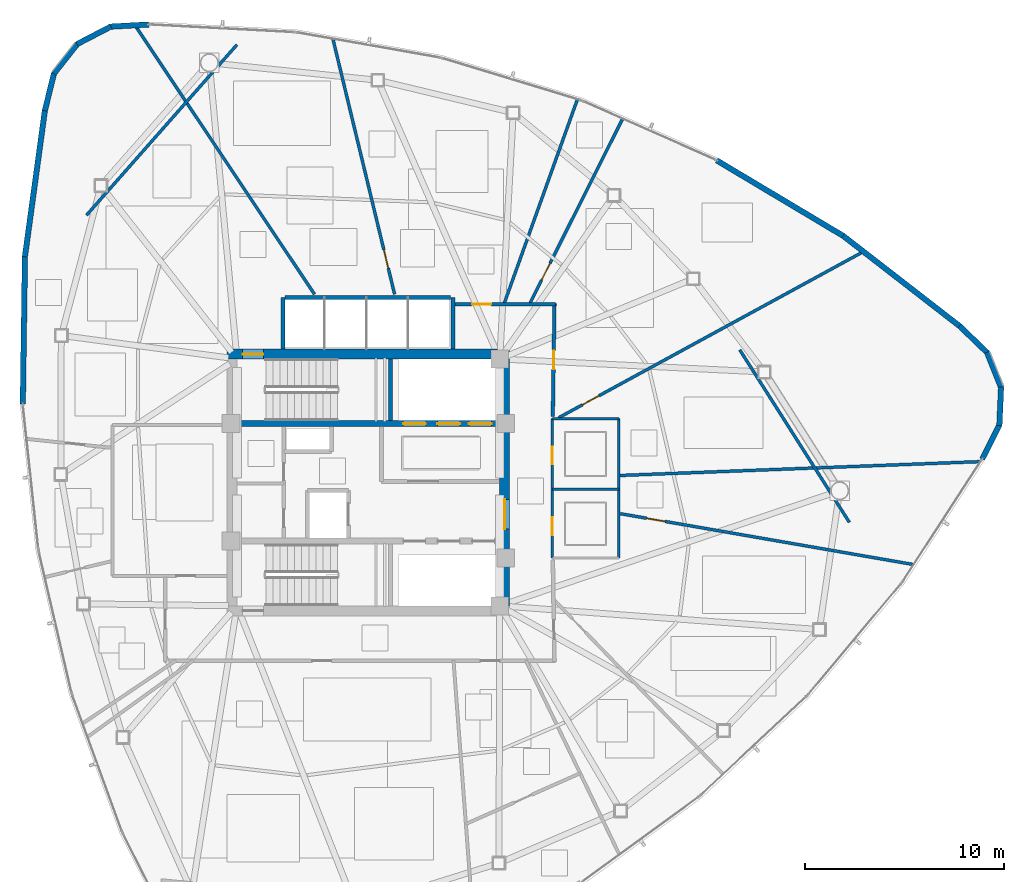
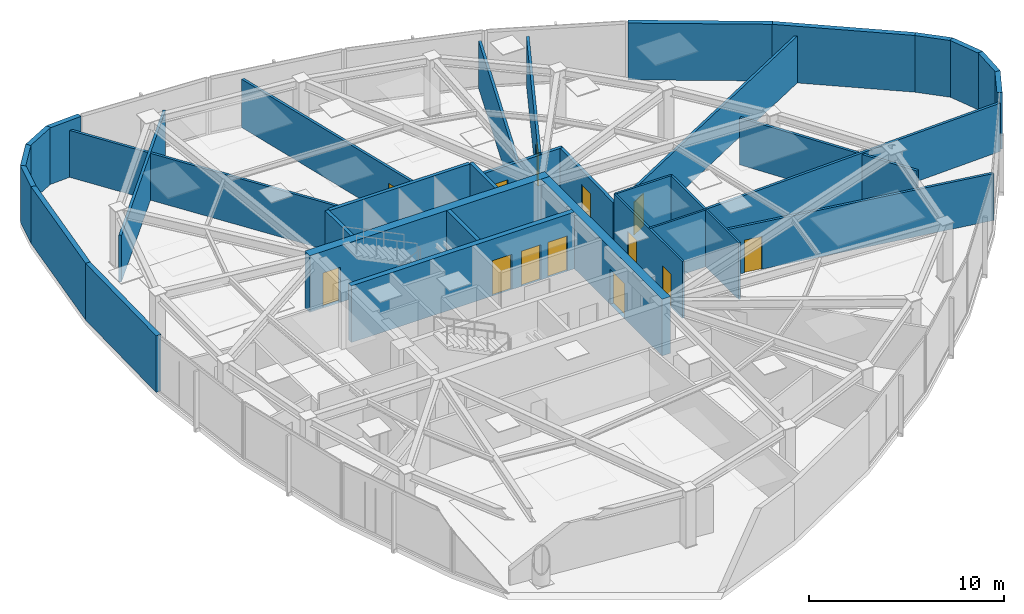
# One storey, part 12 of 17: 34 walls, 13 doors, 13 openings.
"""IFC4 building model written with IfcOpenShell, lengths in metres."""

from ifc_helpers import new_model, si_unit, direction, frame, frame_2d, origin, place, context, subcontext, project, spatial, rectangle, extrude, material, layer, layer_set, type_object, element, fill, save


model = new_model("IFC4")

# Units and contexts
model_context = context("Model", 3, precision=1e-05, world=origin(), true_north=direction((0.0, 1.0)))
body_context = subcontext(model_context, "Body", "Model", "MODEL_VIEW")
ifc_project = project(units=[si_unit("LENGTHUNIT", "METRE"), si_unit("AREAUNIT", "SQUARE_METRE"), si_unit("VOLUMEUNIT", "CUBIC_METRE"), si_unit("PLANEANGLEUNIT", "RADIAN"), si_unit("MASSUNIT", "GRAM", prefix="KILO")], contexts=[model_context])

# Site, building, storey
site_placement = place(None, origin())
site = spatial("IfcSite", under=ifc_project, at=site_placement, CompositionType="ELEMENT")
building_placement = place(site_placement, origin())
building = spatial("IfcBuilding", under=site, at=building_placement, Name="Tavelor Broadcast Tower", CompositionType="ELEMENT")
storey_placement = place(building_placement, frame((0.0, 0.0, 200.300048828125)))
storey = spatial("IfcBuildingStorey", under=building, at=storey_placement, Name="L48", CompositionType="ELEMENT", Elevation=200.300048828125)

# Wall, opening, door
ifc_material_1 = material(Name="Concrete C50/60", Category="concrete")
ifc_layer_1 = layer(ifc_material_1, 0.5)
ifc_layer_set_1 = layer_set([ifc_layer_1], Name="Concrete C50/60")
wall_type_1 = type_object("IfcWallType", Name="Core Shear Wall 500 mm", PredefinedType="SHEAR", material=ifc_layer_set_1)
wall_1_placement = place(storey_placement, frame((42.89990234375, 51.449951171875, 0.0), z_axis=(0.0, 0.0, 1.0), x_axis=(1.0, 0.0, 0.0)))
wall_1 = element("IfcWall", 1, at=wall_1_placement, inside=storey, type_object=wall_type_1, Name="L48 Central Core Shear Wall N", PredefinedType="SHEAR", context=body_context, shape_type="SweptSolid", body=[
    extrude(rectangle(XDim=14.2001953125, YDim=0.5, at=frame_2d((7.10009765625, 0.0))), origin(), (0.0, 0.0, 1.0), 3.550048828125),
])
opening_1_placement = place(wall_1_placement, frame((0.780029296875, 0.0, 0.0)))
opening_1 = element("IfcOpeningElement", 2, at=opening_1_placement, cuts=wall_1, Name="Opening DR11", PredefinedType="OPENING", context=body_context, shape_type="SweptSolid", body=[
    extrude(rectangle(XDim=1.050048828125, YDim=2.199951171875, at=frame_2d((0.52490234375, 1.10009765625))), frame((0.0, 0.260009765625, 0.0), z_axis=(0.0, -1.0, 0.0), x_axis=(1.0, 0.0, 0.0)), (0.0, 0.0, 1.0), 0.52001953125),
])
ifc_material_2 = material(Name="Steel S355", Category="steel")
door_type_1 = type_object("IfcDoorType", Name="Stair Core Fire Escape Door 1050x2200", OperationType="NOTDEFINED", PredefinedType="DOOR", material=ifc_material_2)
door_1_placement = place(opening_1_placement, origin())
door_1 = element("IfcDoor", 3, at=door_1_placement, inside=storey, type_object=door_type_1, Name="L48 Stair ST1 Protected Exit Door", OperationType="SINGLE_SWING_LEFT", OverallHeight=2.199951171875, OverallWidth=1.050048828125, PredefinedType="DOOR", context=body_context, shape_type="SweptSolid", body=[
    extrude(rectangle(XDim=1.050048828125, YDim=2.199951171875, at=frame_2d((0.52490234375, 1.10009765625))), frame((0.0, 0.02490234375, 0.0), z_axis=(0.0, -1.0, 0.0), x_axis=(1.0, 0.0, 0.0)), (0.0, 0.0, 1.0), 0.050048828125),
])
fill(opening_1, door_1)

wall_2_placement = place(storey_placement, frame((56.85009765625, 38.800048828125, 0.0), z_axis=(0.0, 0.0, 1.0), x_axis=(0.0, 1.0, 0.0)))
wall_2 = element("IfcWall", 4, at=wall_2_placement, inside=storey, type_object=wall_type_1, Name="L48 Central Core Shear Wall E", PredefinedType="SHEAR", context=body_context, shape_type="SweptSolid", body=[
    extrude(rectangle(XDim=12.39990234375, YDim=0.5, at=frame_2d((6.199951171875, 0.0))), origin(), (0.0, 0.0, 1.0), 3.550048828125),
])
opening_2_placement = place(wall_2_placement, frame((3.85009765625, 0.0, 0.0)))
opening_2 = element("IfcOpeningElement", 5, at=opening_2_placement, cuts=wall_2, Name="Opening DR14", PredefinedType="OPENING", context=body_context, shape_type="SweptSolid", body=[
    extrude(rectangle(XDim=1.5, YDim=2.199951171875, at=frame_2d((0.75, 1.10009765625))), frame((0.0, 0.260009765625, 0.0), z_axis=(0.0, -1.0, 0.0), x_axis=(1.0, 0.0, 0.0)), (0.0, 0.0, 1.0), 0.52001953125),
])
door_type_2 = type_object("IfcDoorType", Name="Firefighting Lobby Double Fire Door 1500x2200", OperationType="NOTDEFINED", PredefinedType="DOOR", material=ifc_material_2)
door_2_placement = place(opening_2_placement, origin())
door_2 = element("IfcDoor", 6, at=door_2_placement, inside=storey, type_object=door_type_2, Name="L48 Central Core Lobby Fire Door", OperationType="SINGLE_SWING_LEFT", OverallHeight=2.199951171875, OverallWidth=1.5, PredefinedType="DOOR", context=body_context, shape_type="SweptSolid", body=[
    extrude(rectangle(XDim=1.5, YDim=2.199951171875, at=frame_2d((0.75, 1.10009765625))), frame((0.0, 0.02490234375, 0.0), z_axis=(0.0, -1.0, 0.0), x_axis=(1.0, 0.0, 0.0)), (0.0, 0.0, 1.0), 0.050048828125),
])
fill(opening_2, door_2)

# Wall, openings, doors
ifc_layer_2 = layer(ifc_material_1, 0.300048828125)
ifc_layer_set_2 = layer_set([ifc_layer_2], Name="Concrete C50/60")
wall_type_2 = type_object("IfcWallType", Name="Core Spine Shear Wall 300 mm C50", PredefinedType="SHEAR", material=ifc_layer_set_2)
wall_3_placement = place(storey_placement, frame((43.39990234375, 47.949951171875, 0.0), z_axis=(0.0, 0.0, 1.0), x_axis=(1.0, 0.0, 0.0)))
wall_3 = element("IfcWall", 7, at=wall_3_placement, inside=storey, type_object=wall_type_2, Name="L48 Central Core Shear Wall SP1", PredefinedType="SHEAR", context=body_context, shape_type="SweptSolid", body=[
    extrude(rectangle(XDim=13.2001953125, YDim=0.300048828125, at=frame_2d((6.60009765625, 0.0))), origin(), (0.0, 0.0, 1.0), 3.550048828125),
])
opening_3_placement = place(wall_3_placement, frame((8.344970703125, 0.0, 0.0)))
opening_3 = element("IfcOpeningElement", 8, at=opening_3_placement, cuts=wall_3, Name="Opening LD02", PredefinedType="OPENING", context=body_context, shape_type="SweptSolid", body=[
    extrude(rectangle(XDim=1.14990234375, YDim=2.199951171875, at=frame_2d((0.574951171875, 1.10009765625))), frame((0.0, 0.16015625, 0.0), z_axis=(0.0, -1.0, 0.0), x_axis=(1.0, 0.0, 0.0)), (0.0, 0.0, 1.0), 0.320068359375),
])
opening_4_placement = place(wall_3_placement, frame((10.06494140625, 0.0, 0.0)))
opening_4 = element("IfcOpeningElement", 9, at=opening_4_placement, cuts=wall_3, Name="Opening LD02", PredefinedType="OPENING", context=body_context, shape_type="SweptSolid", body=[
    extrude(rectangle(XDim=1.14990234375, YDim=2.199951171875, at=frame_2d((0.574951171875, 1.10009765625))), frame((0.0, 0.16015625, 0.0), z_axis=(0.0, -1.0, 0.0), x_axis=(1.0, 0.0, 0.0)), (0.0, 0.0, 1.0), 0.320068359375),
])
opening_5_placement = place(wall_3_placement, frame((11.64501953125, 0.0, 0.0)))
opening_5 = element("IfcOpeningElement", 10, at=opening_5_placement, cuts=wall_3, Name="Opening LD03", PredefinedType="OPENING", context=body_context, shape_type="SweptSolid", body=[
    extrude(rectangle(XDim=1.14990234375, YDim=2.199951171875, at=frame_2d((0.574951171875, 1.10009765625))), frame((0.0, 0.16015625, 0.0), z_axis=(0.0, -1.0, 0.0), x_axis=(1.0, 0.0, 0.0)), (0.0, 0.0, 1.0), 0.320068359375),
])
ifc_material_3 = material(Name="Reinforced Brushed Stainless Steel", Category="concrete")
door_type_3 = type_object("IfcDoorType", Name="Broadcast Goods Lift Sliding Landing Door 1250x2200", OperationType="NOTDEFINED", PredefinedType="DOOR", material=ifc_material_3)
door_3_placement = place(opening_5_placement, origin())
door_3 = element("IfcDoor", 11, at=door_3_placement, inside=storey, type_object=door_type_3, Name="L48 Lift SVL1 Sliding Landing Door", OperationType="SLIDING_TO_LEFT", OverallHeight=2.199951171875, OverallWidth=1.14990234375, PredefinedType="DOOR", context=body_context, shape_type="SweptSolid", body=[
    extrude(rectangle(XDim=1.14990234375, YDim=2.199951171875, at=frame_2d((0.574951171875, 1.10009765625))), frame((0.0, 0.02490234375, 0.0), z_axis=(0.0, -1.0, 0.0), x_axis=(1.0, 0.0, 0.0)), (0.0, 0.0, 1.0), 0.050048828125),
])
fill(opening_5, door_3)
ifc_material_4 = material(Name="Fire-Rated Stainless Steel", Category="steel")
door_type_4 = type_object("IfcDoorType", Name="Firefighting Lift Sliding Landing Door 1200x2200", OperationType="NOTDEFINED", PredefinedType="DOOR", material=ifc_material_4)
door_4_placement = place(opening_3_placement, origin())
door_4 = element("IfcDoor", 12, at=door_4_placement, inside=storey, type_object=door_type_4, Name="L48 Lift FFL1 Sliding Landing Door", OperationType="SLIDING_TO_LEFT", OverallHeight=2.199951171875, OverallWidth=1.14990234375, PredefinedType="DOOR", context=body_context, shape_type="SweptSolid", body=[
    extrude(rectangle(XDim=1.14990234375, YDim=2.199951171875, at=frame_2d((0.574951171875, 1.10009765625))), frame((0.0, 0.02490234375, 0.0), z_axis=(0.0, -1.0, 0.0), x_axis=(1.0, 0.0, 0.0)), (0.0, 0.0, 1.0), 0.050048828125),
])
fill(opening_3, door_4)
door_5_placement = place(opening_4_placement, origin())
door_5 = element("IfcDoor", 13, at=door_5_placement, inside=storey, type_object=door_type_4, Name="L48 Lift FFL2 Sliding Landing Door", OperationType="SLIDING_TO_LEFT", OverallHeight=2.199951171875, OverallWidth=1.14990234375, PredefinedType="DOOR", context=body_context, shape_type="SweptSolid", body=[
    extrude(rectangle(XDim=1.14990234375, YDim=2.199951171875, at=frame_2d((0.574951171875, 1.10009765625))), frame((0.0, 0.02490234375, 0.0), z_axis=(0.0, -1.0, 0.0), x_axis=(1.0, 0.0, 0.0)), (0.0, 0.0, 1.0), 0.050048828125),
])
fill(opening_4, door_5)

# Wall, opening, door
ifc_material_5 = material(Name="Calcium Silicate Fire Board 180 mm", Category="gypsum")
ifc_layer_3 = layer(ifc_material_5, 0.179931640625)
ifc_layer_set_3 = layer_set([ifc_layer_3], Name="Calcium Silicate Fire Board 180 mm")
wall_type_3 = type_object("IfcWallType", Name="Fire-Rated Corridor Partition Wall 180 mm", PredefinedType="PARTITIONING", material=ifc_layer_set_3)
wall_4_placement = place(storey_placement, frame((54.300048828125, 53.949951171875, 0.0), z_axis=(0.0, 0.0, 1.0), x_axis=(1.0, 0.0, 0.0)))
wall_4 = element("IfcWall", 14, at=wall_4_placement, inside=storey, type_object=wall_type_3, Name="L48 Corridor Compartment Wall 01", PredefinedType="PARTITIONING", context=body_context, shape_type="SweptSolid", body=[
    extrude(rectangle(XDim=5.099853515625, YDim=0.179931640625, at=frame_2d((2.5498046875, 0.0))), origin(), (0.0, 0.0, 1.0), 2.93505859375),
])
opening_6_placement = place(wall_4_placement, frame((0.913818359375, 0.0, 0.0)))
opening_6 = element("IfcOpeningElement", 15, at=opening_6_placement, cuts=wall_4, Name="Opening DR18", PredefinedType="OPENING", context=body_context, shape_type="SweptSolid", body=[
    extrude(rectangle(XDim=0.949951171875, YDim=2.050048828125, at=frame_2d((0.47509765625, 1.02490234375))), frame((0.0, 0.10009765625, 0.0), z_axis=(0.0, -1.0, 0.0), x_axis=(1.0, 0.0, 0.0)), (0.0, 0.0, 1.0), 0.199951171875),
])
ifc_material_6 = material(Name="Timber Solid Core Hardwood", Category="wood")
door_type_5 = type_object("IfcDoorType", Name="Corridor Rated Compartment Door 950x2050", OperationType="NOTDEFINED", PredefinedType="DOOR", material=ifc_material_6)
door_6_placement = place(opening_6_placement, origin())
door_6 = element("IfcDoor", 16, at=door_6_placement, inside=storey, type_object=door_type_5, Name="L48 Broadcast Script Study Door R9", OperationType="SINGLE_SWING_RIGHT", OverallHeight=2.050048828125, OverallWidth=0.949951171875, PredefinedType="DOOR", context=body_context, shape_type="SweptSolid", body=[
    extrude(rectangle(XDim=0.949951171875, YDim=2.050048828125, at=frame_2d((0.47509765625, 1.02490234375))), frame((0.0, 0.02490234375, 0.0), z_axis=(0.0, -1.0, 0.0), x_axis=(1.0, 0.0, 0.0)), (0.0, 0.0, 1.0), 0.050048828125),
])
fill(opening_6, door_6)

wall_5_placement = place(storey_placement, frame((59.3505859375, 54.0, 0.0), z_axis=(0.0, 0.0, 1.0), x_axis=(-0.014903899768, -0.999888930718, 0.0)))
wall_5 = element("IfcWall", 17, at=wall_5_placement, inside=storey, type_object=wall_type_3, Name="L48 Corridor Compartment Wall 02", PredefinedType="PARTITIONING", context=body_context, shape_type="SweptSolid", body=[
    extrude(rectangle(XDim=5.70068359375, YDim=0.179931640625, at=frame_2d((2.850341796875, 0.0))), origin(), (0.0, 0.0, 1.0), 2.93505859375),
])
opening_7_placement = place(wall_5_placement, frame((2.375244140625, 0.0, 0.0)))
opening_7 = element("IfcOpeningElement", 18, at=opening_7_placement, cuts=wall_5, Name="Opening DR18", PredefinedType="OPENING", context=body_context, shape_type="SweptSolid", body=[
    extrude(rectangle(XDim=0.949951171875, YDim=2.050048828125, at=frame_2d((0.47509765625, 1.02490234375))), frame((0.0, 0.10009765625, 0.0), z_axis=(0.0, -1.0, 0.0), x_axis=(1.0, 0.0, 0.0)), (0.0, 0.0, 1.0), 0.199951171875),
])
door_7_placement = place(opening_7_placement, origin())
door_7 = element("IfcDoor", 19, at=door_7_placement, inside=storey, type_object=door_type_5, Name="L48 Colour Grading Studio Door R11", OperationType="SINGLE_SWING_LEFT", OverallHeight=2.050048828125, OverallWidth=0.949951171875, PredefinedType="DOOR", context=body_context, shape_type="SweptSolid", body=[
    extrude(rectangle(XDim=0.949951171875, YDim=2.050048828125, at=frame_2d((0.47509765625, 1.02490234375))), frame((0.0, 0.02490234375, 0.0), z_axis=(0.0, -1.0, 0.0), x_axis=(1.0, 0.0, 0.0)), (0.0, 0.0, 1.0), 0.050048828125),
])
fill(opening_7, door_7)

# Walls
ifc_material_7 = material(Name="Precast Concrete C40/50", Category="concrete")
ifc_layer_4 = layer(ifc_material_7, 0.280029296875)
ifc_layer_set_4 = layer_set([ifc_layer_4], Name="Precast Concrete C40/50")
wall_type_4 = type_object("IfcWallType", Name="Insulated Precast Terracotta Facade Wall 280 mm", PredefinedType="STANDARD", material=ifc_layer_set_4)
wall_6_placement = place(storey_placement, frame((38.96826171875, 68.001220703125, 0.0), z_axis=(0.0, 0.0, 1.0), x_axis=(-0.998492863775, -0.054881699959, 0.0)))
element("IfcWall", 20, at=wall_6_placement, inside=storey, type_object=wall_type_4, Name="L48 Rounded Corner Structural Cladding Pier 01", PredefinedType="STANDARD", context=body_context, shape_type="SweptSolid", body=[
    extrude(rectangle(XDim=1.9306640625, YDim=0.280029296875, at=frame_2d((0.96533203125, 0.0))), origin(), (0.0, 0.0, 1.0), 3.550048828125),
])
for number, where, z_axis, x_axis, name in (
    (21, (37.06884765625, 67.903076171875, 0.0), (0.0, 0.0, 1.0), (-0.88740001266, -0.461000235934, 0.0), "L48 Rounded Corner Structural Cladding Pier 02"),
    (22, (35.388427734375, 67.037109375, 0.0), (0.0, 0.0, 1.0), (-0.619140957325, -0.785279870468, 0.0), "L48 Rounded Corner Structural Cladding Pier 03"),
):
    element("IfcWall", number, at=place(storey_placement, frame(where, z_axis=z_axis, x_axis=x_axis)), inside=storey, type_object=wall_type_4, Name=name, PredefinedType="STANDARD", context=body_context, shape_type="SweptSolid", body=[
        extrude(rectangle(XDim=1.919189453125, YDim=0.280029296875, at=frame_2d((0.95947265625, 0.0))), origin(), (0.0, 0.0, 1.0), 3.550048828125),
    ])
wall_7_placement = place(storey_placement, frame((34.213134765625, 65.556396484375, 0.0), z_axis=(0.0, 0.0, 1.0), x_axis=(-0.241026558281, -0.970518520278, 0.0)))
element("IfcWall", 23, at=wall_7_placement, inside=storey, type_object=wall_type_4, Name="L48 Rounded Corner Structural Cladding Pier 04", PredefinedType="STANDARD", context=body_context, shape_type="SweptSolid", body=[
    extrude(rectangle(XDim=1.941650390625, YDim=0.280029296875, at=frame_2d((0.970703125, 0.0))), origin(), (0.0, 0.0, 1.0), 3.550048828125),
])
wall_8_placement = place(storey_placement, frame((33.750732421875, 63.701416015625, 0.0), z_axis=(0.0, 0.0, 1.0), x_axis=(-0.135308121063, -0.990803569016, 0.0)))
element("IfcWall", 24, at=wall_8_placement, inside=storey, type_object=wall_type_4, Name="L48 Rounded Corner Structural Cladding Pier 05", PredefinedType="STANDARD", context=body_context, shape_type="SweptSolid", body=[
    extrude(rectangle(XDim=7.433837890625, YDim=0.280029296875, at=frame_2d((3.716796875, 0.0))), origin(), (0.0, 0.0, 1.0), 3.550048828125),
])
wall_9_placement = place(storey_placement, frame((32.747314453125, 56.365966796875, 0.0), z_axis=(0.0, 0.0, 1.0), x_axis=(-0.014408294955, -0.999896195131, 0.0)))
element("IfcWall", 25, at=wall_9_placement, inside=storey, type_object=wall_type_4, Name="L48 Rounded Corner Structural Cladding Pier 06", PredefinedType="STANDARD", context=body_context, shape_type="SweptSolid", body=[
    extrude(rectangle(XDim=7.421630859375, YDim=0.280029296875, at=frame_2d((3.7109375, 0.0))), origin(), (0.0, 0.0, 1.0), 3.550048828125),
])
wall_10_placement = place(storey_placement, frame((80.835693359375, 46.1708984375, 0.0), z_axis=(0.0, 0.0, 1.0), x_axis=(0.451709854095, 0.892164899396, 0.0)))
element("IfcWall", 26, at=wall_10_placement, inside=storey, type_object=wall_type_4, Name="L48 Rounded Corner Structural Cladding Pier 21", PredefinedType="STANDARD", context=body_context, shape_type="SweptSolid", body=[
    extrude(rectangle(XDim=1.9306640625, YDim=0.280029296875, at=frame_2d((0.96533203125, 0.0))), origin(), (0.0, 0.0, 1.0), 3.550048828125),
])
wall_11_placement = place(storey_placement, frame((81.7001953125, 47.864990234375, 0.0), z_axis=(0.0, 0.0, 1.0), x_axis=(0.044530413931, 0.999008029114, 0.0)))
element("IfcWall", 27, at=wall_11_placement, inside=storey, type_object=wall_type_4, Name="L48 Rounded Corner Structural Cladding Pier 22", PredefinedType="STANDARD", context=body_context, shape_type="SweptSolid", body=[
    extrude(rectangle(XDim=1.9189453125, YDim=0.280029296875, at=frame_2d((0.95947265625, 0.0))), origin(), (0.0, 0.0, 1.0), 3.550048828125),
])
wall_12_placement = place(storey_placement, frame((81.79052734375, 49.753173828125, 0.0), z_axis=(0.0, 0.0, 1.0), x_axis=(-0.370578986815, 0.928800955281, 0.0)))
element("IfcWall", 28, at=wall_12_placement, inside=storey, type_object=wall_type_4, Name="L48 Rounded Corner Structural Cladding Pier 23", PredefinedType="STANDARD", context=body_context, shape_type="SweptSolid", body=[
    extrude(rectangle(XDim=1.919189453125, YDim=0.280029296875, at=frame_2d((0.95947265625, 0.0))), origin(), (0.0, 0.0, 1.0), 3.550048828125),
])
wall_13_placement = place(storey_placement, frame((81.095703125, 51.51123046875, 0.0), z_axis=(0.0, 0.0, 1.0), x_axis=(-0.719938525081, 0.694037837661, 0.0)))
element("IfcWall", 29, at=wall_13_placement, inside=storey, type_object=wall_type_4, Name="L48 Rounded Corner Structural Cladding Pier 24", PredefinedType="STANDARD", context=body_context, shape_type="SweptSolid", body=[
    extrude(rectangle(XDim=1.941650390625, YDim=0.280029296875, at=frame_2d((0.970703125, 0.0))), origin(), (0.0, 0.0, 1.0), 3.550048828125),
])
wall_14_placement = place(storey_placement, frame((79.720458984375, 52.83935546875, 0.0), z_axis=(0.0, 0.0, 1.0), x_axis=(-0.790429761354, 0.612552685379, 0.0)))
element("IfcWall", 30, at=wall_14_placement, inside=storey, type_object=wall_type_4, Name="L48 Rounded Corner Structural Cladding Pier 25", PredefinedType="STANDARD", context=body_context, shape_type="SweptSolid", body=[
    extrude(rectangle(XDim=7.43359375, YDim=0.280029296875, at=frame_2d((3.716796875, 0.0))), origin(), (0.0, 0.0, 1.0), 3.550048828125),
])
wall_15_placement = place(storey_placement, frame((73.869384765625, 57.3759765625, 0.0), z_axis=(0.0, 0.0, 1.0), x_axis=(-0.858715385241, 0.51245281456, 0.0)))
element("IfcWall", 31, at=wall_15_placement, inside=storey, type_object=wall_type_4, Name="L48 Rounded Corner Structural Cladding Pier 26", PredefinedType="STANDARD", context=body_context, shape_type="SweptSolid", body=[
    extrude(rectangle(XDim=7.421630859375, YDim=0.280029296875, at=frame_2d((3.7109375, 0.0))), origin(), (0.0, 0.0, 1.0), 3.550048828125),
])
ifc_material_8 = material(Name="Gypsum Acoustic Plasterboard 150 mm", Category="gypsum")
ifc_layer_5 = layer(ifc_material_8, 0.14990234375)
ifc_layer_set_5 = layer_set([ifc_layer_5], Name="Gypsum Acoustic Plasterboard 150 mm")
wall_type_5 = type_object("IfcWallType", Name="Interior Acoustic Partition Wall 150 mm", PredefinedType="PARTITIONING", material=ifc_layer_set_5)
wall_16_placement = place(storey_placement, frame((43.399658203125, 66.988525390625, 0.0), z_axis=(0.0, 0.0, 1.0), x_axis=(-0.661622343701, -0.749837231881, 0.0)))
element("IfcWall", 32, at=wall_16_placement, inside=storey, type_object=wall_type_5, Name="L48 Corner Tube Brace Furring Wall 1", PredefinedType="PARTITIONING", context=body_context, shape_type="SweptSolid", body=[
    extrude(rectangle(XDim=11.42724609375, YDim=0.14990234375, at=frame_2d((5.713623046875, 0.0))), origin(), (0.0, 0.0, 1.0), 2.93505859375),
])
wall_17_placement = place(storey_placement, frame((74.16259765625, 42.9931640625, 0.0), z_axis=(0.0, 0.0, 1.0), x_axis=(-0.53628142437, 0.844039237166, 0.0)))
element("IfcWall", 33, at=wall_17_placement, inside=storey, type_object=wall_type_5, Name="L48 Corner Tube Brace Furring Wall 3", PredefinedType="PARTITIONING", context=body_context, shape_type="SweptSolid", body=[
    extrude(rectangle(XDim=10.266845703125, YDim=0.14990234375, at=frame_2d((5.13330078125, 0.0))), origin(), (0.0, 0.0, 1.0), 2.93505859375),
])

# Wall, opening, door
wall_18_placement = place(storey_placement, frame((62.64990234375, 43.4296875, 0.0), z_axis=(0.0, 0.0, 1.0), x_axis=(0.985278700053, -0.170955793181, 0.0)))
wall_18 = element("IfcWall", 34, at=wall_18_placement, inside=storey, type_object=wall_type_5, Name="L48 Radial Compartment Wall 06", PredefinedType="PARTITIONING", context=body_context, shape_type="SweptSolid", body=[
    extrude(rectangle(XDim=14.97216796875, YDim=0.14990234375, at=frame_2d((7.486083984375, 0.0))), origin(), (0.0, 0.0, 1.0), 2.93505859375),
])
opening_8_placement = place(wall_18_placement, frame((1.35009765625, 0.0, 0.0)))
opening_8 = element("IfcOpeningElement", 35, at=opening_8_placement, cuts=wall_18, Name="Opening DR18", PredefinedType="OPENING", context=body_context, shape_type="SweptSolid", body=[
    extrude(rectangle(XDim=0.949951171875, YDim=2.050048828125, at=frame_2d((0.47509765625, 1.02490234375))), frame((0.0, 0.0849609375, 0.0), z_axis=(0.0, -1.0, 0.0), x_axis=(1.0, 0.0, 0.0)), (0.0, 0.0, 1.0), 0.169921875),
])
door_8_placement = place(opening_8_placement, origin())
door_8 = element("IfcDoor", 36, at=door_8_placement, inside=storey, type_object=door_type_5, Name="L48 Suite Connecting Door 0", OperationType="SINGLE_SWING_LEFT", OverallHeight=2.050048828125, OverallWidth=0.949951171875, PredefinedType="DOOR", context=body_context, shape_type="SweptSolid", body=[
    extrude(rectangle(XDim=0.949951171875, YDim=2.050048828125, at=frame_2d((0.47509765625, 1.02490234375))), frame((0.0, 0.02490234375, 0.0), z_axis=(0.0, -1.0, 0.0), x_axis=(1.0, 0.0, 0.0)), (0.0, 0.0, 1.0), 0.050048828125),
])
fill(opening_8, door_8)

# Wall
wall_19_placement = place(storey_placement, frame((62.64990234375, 45.347900390625, 0.0), z_axis=(0.0, 0.0, 1.0), x_axis=(0.99926109506, 0.038435190907, 0.0)))
element("IfcWall", 37, at=wall_19_placement, inside=storey, type_object=wall_type_5, Name="L48 Radial Compartment Wall 07", PredefinedType="PARTITIONING", context=body_context, shape_type="SweptSolid", body=[
    extrude(rectangle(XDim=18.128662109375, YDim=0.14990234375, at=frame_2d((9.064453125, 0.0))), origin(), (0.0, 0.0, 1.0), 3.02490234375),
])

# Wall, opening, door
wall_20_placement = place(storey_placement, frame((59.56298828125, 48.25, 0.0), z_axis=(0.0, 0.0, 1.0), x_axis=(0.87805113136, 0.478566829938, 0.0)))
wall_20 = element("IfcWall", 38, at=wall_20_placement, inside=storey, type_object=wall_type_5, Name="L48 Radial Compartment Wall 08", PredefinedType="PARTITIONING", context=body_context, shape_type="SweptSolid", body=[
    extrude(rectangle(XDim=17.44873046875, YDim=0.14990234375, at=frame_2d((8.724365234375, 0.0))), origin(), (0.0, 0.0, 1.0), 2.93505859375),
])
opening_9_placement = place(wall_20_placement, frame((1.35009765625, 0.0, 0.0)))
opening_9 = element("IfcOpeningElement", 39, at=opening_9_placement, cuts=wall_20, Name="Opening DR18", PredefinedType="OPENING", context=body_context, shape_type="SweptSolid", body=[
    extrude(rectangle(XDim=0.949951171875, YDim=2.050048828125, at=frame_2d((0.47509765625, 1.02490234375))), frame((0.0, 0.0849609375, 0.0), z_axis=(0.0, -1.0, 0.0), x_axis=(1.0, 0.0, 0.0)), (0.0, 0.0, 1.0), 0.169921875),
])
door_9_placement = place(opening_9_placement, origin())
door_9 = element("IfcDoor", 40, at=door_9_placement, inside=storey, type_object=door_type_5, Name="L48 Suite Connecting Door 12", OperationType="SINGLE_SWING_RIGHT", OverallHeight=2.050048828125, OverallWidth=0.949951171875, PredefinedType="DOOR", context=body_context, shape_type="SweptSolid", body=[
    extrude(rectangle(XDim=0.949951171875, YDim=2.050048828125, at=frame_2d((0.47509765625, 1.02490234375))), frame((0.0, 0.02490234375, 0.0), z_axis=(0.0, -1.0, 0.0), x_axis=(1.0, 0.0, 0.0)), (0.0, 0.0, 1.0), 0.050048828125),
])
fill(opening_9, door_9)

wall_21_placement = place(storey_placement, frame((58.09423828125, 53.949951171875, 0.0), z_axis=(0.0, 0.0, 1.0), x_axis=(0.448756656044, 0.89365399549, 0.0)))
wall_21 = element("IfcWall", 41, at=wall_21_placement, inside=storey, type_object=wall_type_5, Name="L48 Radial Compartment Wall 09", PredefinedType="PARTITIONING", context=body_context, shape_type="SweptSolid", body=[
    extrude(rectangle(XDim=10.43798828125, YDim=0.14990234375, at=frame_2d((5.218994140625, 0.0))), origin(), (0.0, 0.0, 1.0), 3.02490234375),
])
opening_10_placement = place(wall_21_placement, frame((1.35009765625, 0.0, 0.0)))
opening_10 = element("IfcOpeningElement", 42, at=opening_10_placement, cuts=wall_21, Name="Opening DR18", PredefinedType="OPENING", context=body_context, shape_type="SweptSolid", body=[
    extrude(rectangle(XDim=0.949951171875, YDim=2.050048828125, at=frame_2d((0.47509765625, 1.02490234375))), frame((0.0, 0.0849609375, 0.0), z_axis=(0.0, -1.0, 0.0), x_axis=(1.0, 0.0, 0.0)), (0.0, 0.0, 1.0), 0.169921875),
])
door_10_placement = place(opening_10_placement, origin())
door_10 = element("IfcDoor", 43, at=door_10_placement, inside=storey, type_object=door_type_5, Name="L48 Suite Connecting Door 10", OperationType="SINGLE_SWING_LEFT", OverallHeight=2.050048828125, OverallWidth=0.949951171875, PredefinedType="DOOR", context=body_context, shape_type="SweptSolid", body=[
    extrude(rectangle(XDim=0.949951171875, YDim=2.050048828125, at=frame_2d((0.47509765625, 1.02490234375))), frame((0.0, 0.02490234375, 0.0), z_axis=(0.0, -1.0, 0.0), x_axis=(1.0, 0.0, 0.0)), (0.0, 0.0, 1.0), 0.050048828125),
])
fill(opening_10, door_10)

# Wall
wall_22_placement = place(storey_placement, frame((56.810302734375, 53.949951171875, 0.0), z_axis=(0.0, 0.0, 1.0), x_axis=(0.337627623522, 0.941279760663, 0.0)))
element("IfcWall", 44, at=wall_22_placement, inside=storey, type_object=wall_type_5, Name="L48 Radial Compartment Wall 10", PredefinedType="PARTITIONING", context=body_context, shape_type="SweptSolid", body=[
    extrude(rectangle(XDim=10.94482421875, YDim=0.14990234375, at=frame_2d((5.472412109375, 0.0))), origin(), (0.0, 0.0, 1.0), 2.93505859375),
])

# Wall, opening, door
wall_23_placement = place(storey_placement, frame((51.317626953125, 54.449951171875, 0.0), z_axis=(0.0, 0.0, 1.0), x_axis=(-0.234780806693, 0.97204833872, 0.0)))
wall_23 = element("IfcWall", 45, at=wall_23_placement, inside=storey, type_object=wall_type_5, Name="L48 Radial Compartment Wall 11", PredefinedType="PARTITIONING", context=body_context, shape_type="SweptSolid", body=[
    extrude(rectangle(XDim=13.213623046875, YDim=0.14990234375, at=frame_2d((6.60693359375, 0.0))), origin(), (0.0, 0.0, 1.0), 3.02490234375),
])
opening_11_placement = place(wall_23_placement, frame((1.35009765625, 0.0, 0.0)))
opening_11 = element("IfcOpeningElement", 46, at=opening_11_placement, cuts=wall_23, Name="Opening DR18", PredefinedType="OPENING", context=body_context, shape_type="SweptSolid", body=[
    extrude(rectangle(XDim=0.949951171875, YDim=2.050048828125, at=frame_2d((0.47509765625, 1.02490234375))), frame((0.0, 0.0849609375, 0.0), z_axis=(0.0, -1.0, 0.0), x_axis=(1.0, 0.0, 0.0)), (0.0, 0.0, 1.0), 0.169921875),
])
door_11_placement = place(opening_11_placement, origin())
door_11 = element("IfcDoor", 47, at=door_11_placement, inside=storey, type_object=door_type_5, Name="L48 Suite Connecting Door 8", OperationType="SINGLE_SWING_RIGHT", OverallHeight=2.050048828125, OverallWidth=0.949951171875, PredefinedType="DOOR", context=body_context, shape_type="SweptSolid", body=[
    extrude(rectangle(XDim=0.949951171875, YDim=2.050048828125, at=frame_2d((0.47509765625, 1.02490234375))), frame((0.0, 0.02490234375, 0.0), z_axis=(0.0, -1.0, 0.0), x_axis=(1.0, 0.0, 0.0)), (0.0, 0.0, 1.0), 0.050048828125),
])
fill(opening_11, door_11)

# Walls
wall_24_placement = place(storey_placement, frame((47.294189453125, 54.449951171875, 0.0), z_axis=(0.0, 0.0, 1.0), x_axis=(-0.55503631466, 0.831826117292, 0.0)))
element("IfcWall", 48, at=wall_24_placement, inside=storey, type_object=wall_type_5, Name="L48 Radial Compartment Wall 12", PredefinedType="PARTITIONING", context=body_context, shape_type="SweptSolid", body=[
    extrude(rectangle(XDim=16.2568359375, YDim=0.14990234375, at=frame_2d((8.12841796875, 0.0))), origin(), (0.0, 0.0, 1.0), 2.93505859375),
])
ifc_material_9 = material(Name="Concrete Blockwork 200 mm", Category="masonry")
ifc_layer_6 = layer(ifc_material_9, 0.199951171875)
ifc_layer_set_6 = layer_set([ifc_layer_6], Name="Concrete Blockwork 200 mm")
wall_type_6 = type_object("IfcWallType", Name="Lift Hoistway Rated Front Wall 200 mm", PredefinedType="PARTITIONING", material=ifc_layer_set_6)
wall_25_placement = place(storey_placement, frame((45.820068359375, 54.300048828125, 0.0), z_axis=(0.0, 0.0, 1.0), x_axis=(1.0, 0.0, 0.0)))
element("IfcWall", 49, at=wall_25_placement, inside=storey, type_object=wall_type_6, Name="L48 High-Rise Lift Hoistway Front Wall", PredefinedType="PARTITIONING", context=body_context, shape_type="SweptSolid", body=[
    extrude(rectangle(XDim=8.309814453125, YDim=0.199951171875, at=frame_2d((4.15478515625, 0.0))), origin(), (0.0, 0.0, 1.0), 3.550048828125),
])
ifc_layer_7 = layer(ifc_material_9, 0.199951171875)
ifc_layer_set_7 = layer_set([ifc_layer_7], Name="Concrete Blockwork 200 mm")
wall_type_7 = type_object("IfcWallType", Name="Lift and Riser Shaft Enclosure Wall 200 mm", PredefinedType="PARTITIONING", material=ifc_layer_set_7)
for number, where, z_axis, x_axis, name in (
    (50, (45.699951171875, 51.699951171875, 0.0), (0.0, 0.0, 1.0), (0.0, 1.0, 0.0), "L48 High-Rise Lift Shaft West Wall"),
    (51, (54.25, 51.699951171875, 0.0), (0.0, 0.0, 1.0), (0.0, 1.0, 0.0), "L48 High-Rise Lift Shaft East Wall"),
):
    element("IfcWall", number, at=place(storey_placement, frame(where, z_axis=z_axis, x_axis=x_axis)), inside=storey, type_object=wall_type_7, Name=name, PredefinedType="PARTITIONING", context=body_context, shape_type="SweptSolid", body=[
        extrude(rectangle(XDim=2.60009765625, YDim=0.199951171875, at=frame_2d((1.300048828125, 0.0))), origin(), (0.0, 0.0, 1.0), 3.550048828125),
    ])

# Wall, openings, doors
ifc_material_10 = material(Name="Moisture-Resistant Plasterboard 120 mm", Category="gypsum")
ifc_layer_8 = layer(ifc_material_10, 0.1201171875)
ifc_layer_set_8 = layer_set([ifc_layer_8], Name="Moisture-Resistant Plasterboard 120 mm")
wall_type_8 = type_object("IfcWallType", Name="Moisture-Resistant Wet-Room Partition 120 mm", PredefinedType="PARTITIONING", material=ifc_layer_set_8)
wall_26_placement = place(storey_placement, frame((59.239990234375, 41.199951171875, 0.0), z_axis=(0.0, 0.0, 1.0), x_axis=(0.0, 1.0, 0.0)))
wall_26 = element("IfcWall", 52, at=wall_26_placement, inside=storey, type_object=wall_type_8, Name="L48 Floor Washrooms West Wall", PredefinedType="PARTITIONING", context=body_context, shape_type="SweptSolid", body=[
    extrude(rectangle(XDim=7.0, YDim=0.1201171875, at=frame_2d((3.5, 0.0))), origin(), (0.0, 0.0, 1.0), 3.550048828125),
])
opening_12_placement = place(wall_26_placement, frame((1.14990234375, 0.0, 0.0)))
opening_12 = element("IfcOpeningElement", 53, at=opening_12_placement, cuts=wall_26, Name="Opening DR32", PredefinedType="OPENING", context=body_context, shape_type="SweptSolid", body=[
    extrude(rectangle(XDim=0.89990234375, YDim=2.050048828125, at=frame_2d((0.449951171875, 1.02490234375))), frame((0.0, 0.070068359375, 0.0), z_axis=(0.0, -1.0, 0.0), x_axis=(1.0, 0.0, 0.0)), (0.0, 0.0, 1.0), 0.14013671875),
])
opening_13_placement = place(wall_26_placement, frame((4.699951171875, 0.0, 0.0)))
opening_13 = element("IfcOpeningElement", 54, at=opening_13_placement, cuts=wall_26, Name="Opening DR32", PredefinedType="OPENING", context=body_context, shape_type="SweptSolid", body=[
    extrude(rectangle(XDim=0.89990234375, YDim=2.050048828125, at=frame_2d((0.449951171875, 1.02490234375))), frame((0.0, 0.070068359375, 0.0), z_axis=(0.0, -1.0, 0.0), x_axis=(1.0, 0.0, 0.0)), (0.0, 0.0, 1.0), 0.14013671875),
])
door_type_6 = type_object("IfcDoorType", Name="Accessible Washroom Door 900x2050", OperationType="NOTDEFINED", PredefinedType="DOOR", material=ifc_material_6)
door_12_placement = place(opening_12_placement, origin())
door_12 = element("IfcDoor", 55, at=door_12_placement, inside=storey, type_object=door_type_6, Name="L48 Accessible WC Door", OperationType="SINGLE_SWING_LEFT", OverallHeight=2.050048828125, OverallWidth=0.89990234375, PredefinedType="DOOR", context=body_context, shape_type="SweptSolid", body=[
    extrude(rectangle(XDim=0.89990234375, YDim=2.050048828125, at=frame_2d((0.449951171875, 1.02490234375))), frame((0.0, 0.02490234375, 0.0), z_axis=(0.0, -1.0, 0.0), x_axis=(1.0, 0.0, 0.0)), (0.0, 0.0, 1.0), 0.050048828125),
])
fill(opening_12, door_12)
door_13_placement = place(opening_13_placement, origin())
door_13 = element("IfcDoor", 56, at=door_13_placement, inside=storey, type_object=door_type_6, Name="L48 Staff Washroom WC Door", OperationType="SINGLE_SWING_RIGHT", OverallHeight=2.050048828125, OverallWidth=0.89990234375, PredefinedType="DOOR", context=body_context, shape_type="SweptSolid", body=[
    extrude(rectangle(XDim=0.89990234375, YDim=2.050048828125, at=frame_2d((0.449951171875, 1.02490234375))), frame((0.0, 0.02490234375, 0.0), z_axis=(0.0, -1.0, 0.0), x_axis=(1.0, 0.0, 0.0)), (0.0, 0.0, 1.0), 0.050048828125),
])
fill(opening_13, door_13)

# Walls
for number, where, z_axis, x_axis, name in (
    (57, (59.239990234375, 44.64990234375, 0.0), (0.0, 0.0, 1.0), (1.0, 0.0, 0.0), "L48 Floor Washrooms Divider Wall"),
    (58, (59.239990234375, 48.199951171875, 0.0), (0.0, 0.0, 1.0), (1.0, 0.0, 0.0), "L48 Floor Washrooms North Wall"),
):
    element("IfcWall", number, at=place(storey_placement, frame(where, z_axis=z_axis, x_axis=x_axis)), inside=storey, type_object=wall_type_8, Name=name, PredefinedType="PARTITIONING", context=body_context, shape_type="SweptSolid", body=[
        extrude(rectangle(XDim=3.340087890625, YDim=0.1201171875, at=frame_2d((1.669921875, 0.0))), origin(), (0.0, 0.0, 1.0), 3.550048828125),
    ])
wall_27_placement = place(storey_placement, frame((62.580078125, 41.199951171875, 0.0), z_axis=(0.0, 0.0, 1.0), x_axis=(0.0, 1.0, 0.0)))
element("IfcWall", 59, at=wall_27_placement, inside=storey, type_object=wall_type_8, Name="L48 Floor Washrooms East Wall", PredefinedType="PARTITIONING", context=body_context, shape_type="SweptSolid", body=[
    extrude(rectangle(XDim=7.0, YDim=0.1201171875, at=frame_2d((3.5, 0.0))), origin(), (0.0, 0.0, 1.0), 3.550048828125),
])
ifc_material_11 = material(Name="Concrete C40/50", Category="concrete")
ifc_layer_9 = layer(ifc_material_11, 0.219970703125)
ifc_layer_set_9 = layer_set([ifc_layer_9], Name="Concrete C40/50")
wall_type_9 = type_object("IfcWallType", Name="Structural Stairwell Shear Wall 220 mm", PredefinedType="SHEAR", material=ifc_layer_set_9)
wall_28_placement = place(storey_placement, frame((51.110107421875, 48.10009765625, 0.0), z_axis=(0.0, 0.0, 1.0), x_axis=(0.0, 1.0, 0.0)))
element("IfcWall", 60, at=wall_28_placement, inside=storey, type_object=wall_type_9, Name="L48 Stair ST1 Structural Shaft Wall", PredefinedType="SHEAR", context=body_context, shape_type="SweptSolid", body=[
    extrude(rectangle(XDim=3.099853515625, YDim=0.219970703125, at=frame_2d((1.5498046875, 0.0))), origin(), (0.0, 0.0, 1.0), 3.550048828125),
])

save(model, "model.ifc")
